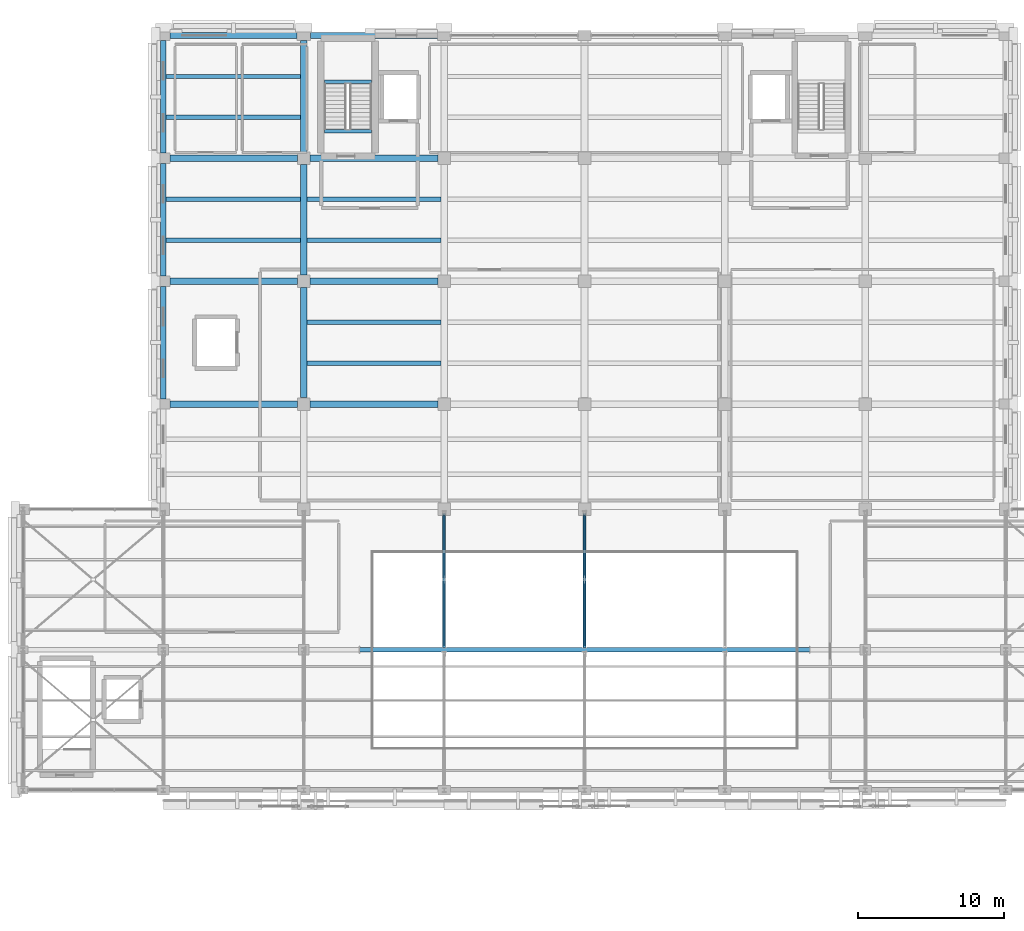
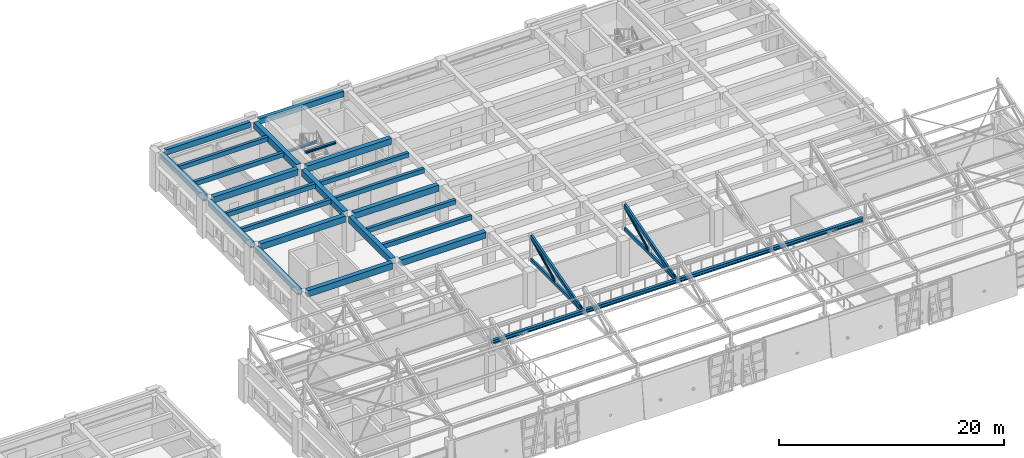
# One storey, part 21 of 58: 25 beams, 8 members.
"""IFC4 building model written with IfcOpenShell, lengths in metres."""

from ifc_helpers import new_model, si_unit, direction, frame, origin, origin_2d, place, context, subcontext, project, spatial, rectangle, hollow_rectangle, hollow_circle, i_section, extrude, material, material_profile, profile_set, type_object, element, save


model = new_model("IFC4")

# Units and contexts
model_context = context("Model", 3, precision=1e-05, world=origin(), true_north=direction((0.0, 1.0)))
body_context = subcontext(model_context, "Body", "Model", "MODEL_VIEW")
ifc_project = project(units=[si_unit("LENGTHUNIT", "METRE"), si_unit("AREAUNIT", "SQUARE_METRE"), si_unit("VOLUMEUNIT", "CUBIC_METRE"), si_unit("PLANEANGLEUNIT", "RADIAN"), si_unit("MASSUNIT", "GRAM", prefix="KILO")], contexts=[model_context])

# Site, building, storey
site_placement = place(None, origin())
site = spatial("IfcSite", under=ifc_project, at=site_placement, CompositionType="ELEMENT")
building_placement = place(site_placement, origin())
building = spatial("IfcBuilding", under=site, at=building_placement, Name="Bempovik Park Faculty of Sciences", CompositionType="ELEMENT")
storey_placement = place(building_placement, frame((0.0, 0.0, 18.300048828125)))
storey = spatial("IfcBuildingStorey", under=building, at=storey_placement, Name="L04", CompositionType="ELEMENT", Elevation=18.300048828125)

# Beams
ifc_material_1 = material(Name="Concrete C35/45", Category="concrete")
ifc_material_profile_1 = material_profile(ifc_material_1, rectangle(XDim=0.3798828125, YDim=0.60009765625, at=origin_2d()), Name="RC 380x600")
ifc_profile_set_1 = profile_set([ifc_material_profile_1], Name="Concrete C35/45")
beam_type_1 = type_object("IfcBeamType", Name="B-032 RC 380x600", PredefinedType="SPANDREL", material=ifc_profile_set_1)
for number, where, z_axis, x_axis, name in (
    (1, (60.4560546875, 119.39990234375, 3.599853515625), (1.0, 0.0, 0.0), (0.0, 1.0, 0.0), "L04 Beam X (60.0-69.6, y=119.4)"),
    (2, (70.055908203125, 119.39990234375, 3.599853515625), (1.0, 0.0, 0.0), (0.0, 1.0, 0.0), "L04 Beam X (69.6-79.2, y=119.4)"),
):
    element("IfcBeam", number, at=place(storey_placement, frame(where, z_axis=z_axis, x_axis=x_axis)), inside=storey, type_object=beam_type_1, Name=name, PredefinedType="SPANDREL", context=body_context, shape_type="SweptSolid", body=[
        extrude(rectangle(XDim=0.3798828125, YDim=0.60009765625, at=origin_2d()), origin(), (0.0, 0.0, 1.0), 8.68798828125),
    ])
for number, where, z_axis, x_axis, name in (
    (3, (60.0, 94.555908203125, 3.599853515625), (0.0, 1.0, 0.0), (-1.0, 0.0, 0.0), "L04 Beam Y (x=60.0, 94.2-102.6)"),
    (4, (60.0, 102.9560546875, 3.599853515625), (0.0, 1.0, 0.0), (-1.0, 0.0, 0.0), "L04 Beam Y (x=60.0, 102.6-111.0)"),
    (5, (60.0, 111.35595703125, 3.599853515625), (0.0, 1.0, 0.0), (-1.0, 0.0, 0.0), "L04 Beam Y (x=60.0, 111.0-119.4)"),
):
    element("IfcBeam", number, at=place(storey_placement, frame(where, z_axis=z_axis, x_axis=x_axis)), inside=storey, type_object=beam_type_1, Name=name, PredefinedType="SPANDREL", context=body_context, shape_type="SweptSolid", body=[
        extrude(rectangle(XDim=0.3798828125, YDim=0.60009765625, at=origin_2d()), origin(), (0.0, 0.0, 1.0), 7.68798828125),
    ])
ifc_material_profile_2 = material_profile(ifc_material_1, rectangle(XDim=0.300048828125, YDim=0.47998046875, at=origin_2d()), Name="RC 300x480")
ifc_profile_set_2 = profile_set([ifc_material_profile_2], Name="Concrete C35/45")
beam_type_2 = type_object("IfcBeamType", Name="B-039 RC 300x480", PredefinedType="JOIST", material=ifc_profile_set_2)
for number, where, z_axis, x_axis, name in (
    (6, (60.196044921875, 105.39990234375, 3.659912109375), (1.0, 0.0, 0.0), (0.0, 1.0, 0.0), "L04 Secondary Joist (60.0-69.6, y=105.40)"),
    (7, (60.196044921875, 108.199951171875, 3.659912109375), (1.0, 0.0, 0.0), (0.0, 1.0, 0.0), "L04 Secondary Joist (60.0-69.6, y=108.20)"),
    (8, (60.196044921875, 113.800048828125, 3.659912109375), (1.0, 0.0, 0.0), (0.0, 1.0, 0.0), "L04 Secondary Joist (60.0-69.6, y=113.80)"),
    (9, (60.196044921875, 116.60009765625, 3.659912109375), (1.0, 0.0, 0.0), (0.0, 1.0, 0.0), "L04 Secondary Joist (60.0-69.6, y=116.60)"),
):
    element("IfcBeam", number, at=place(storey_placement, frame(where, z_axis=z_axis, x_axis=x_axis)), inside=storey, type_object=beam_type_2, Name=name, PredefinedType="JOIST", context=body_context, shape_type="SweptSolid", body=[
        extrude(rectangle(XDim=0.300048828125, YDim=0.47998046875, at=origin_2d()), origin(), (0.0, 0.0, 1.0), 9.1728515625),
    ])
for number, where, z_axis, x_axis, name in (
    (10, (69.8310546875, 97.0, 3.659912109375), (1.0, 0.0, 0.0), (0.0, 1.0, 0.0), "L04 Secondary Joist (69.6-79.2, y=97.00)"),
    (11, (69.8310546875, 99.800048828125, 3.659912109375), (1.0, 0.0, 0.0), (0.0, 1.0, 0.0), "L04 Secondary Joist (69.6-79.2, y=99.80)"),
    (12, (69.8310546875, 105.39990234375, 3.659912109375), (1.0, 0.0, 0.0), (0.0, 1.0, 0.0), "L04 Secondary Joist (69.6-79.2, y=105.40)"),
    (13, (69.8310546875, 108.199951171875, 3.659912109375), (1.0, 0.0, 0.0), (0.0, 1.0, 0.0), "L04 Secondary Joist (69.6-79.2, y=108.20)"),
):
    element("IfcBeam", number, at=place(storey_placement, frame(where, z_axis=z_axis, x_axis=x_axis)), inside=storey, type_object=beam_type_2, Name=name, PredefinedType="JOIST", context=body_context, shape_type="SweptSolid", body=[
        extrude(rectangle(XDim=0.300048828125, YDim=0.47998046875, at=origin_2d()), origin(), (0.0, 0.0, 1.0), 9.137939453125),
    ])
ifc_material_2 = material(Name="Steel S355", Category="steel")
ifc_material_profile_3 = material_profile(ifc_material_2, i_section(OverallWidth=0.300048828125, OverallDepth=0.39990234375, WebThickness=0.013427734375, FlangeThickness=0.02392578125, at=origin_2d()), Name="HEB 400")
ifc_profile_set_3 = profile_set([ifc_material_profile_3], Name="Steel S355")
beam_type_3 = type_object("IfcBeamType", Name="B-044 HEB 400", PredefinedType="BEAM", material=ifc_profile_set_3)
beam_1_placement = place(storey_placement, frame((69.72998046875, 77.39990234375, 5.182373046875), z_axis=(1.0, 0.0, 0.0), x_axis=(0.0, 1.0, 0.0)))
element("IfcBeam", 14, at=beam_1_placement, inside=storey, type_object=beam_type_3, Name="Atrium Sawtooth Clear-Span Upper Valley Girder (69.6-108.0)", PredefinedType="BEAM", context=body_context, shape_type="SweptSolid", body=[
    extrude(i_section(OverallWidth=0.300048828125, OverallDepth=0.39990234375, WebThickness=0.013427734375, FlangeThickness=0.02392578125, at=origin_2d()), origin(), (0.0, 0.0, 1.0), 38.14013671875),
])
ifc_material_profile_4 = material_profile(ifc_material_2, i_section(OverallWidth=0.239990234375, OverallDepth=0.22998046875, WebThickness=0.007568359375, FlangeThickness=0.011962890625, at=origin_2d()), Name="HEA 240")
ifc_profile_set_4 = profile_set([ifc_material_profile_4], Name="Steel S355")
beam_type_4 = type_object("IfcBeamType", Name="B-070 HEA 240", PredefinedType="BEAM", material=ifc_profile_set_4)
for number, where, z_axis, x_axis, name in (
    (15, (71.006103515625, 116.24365234375, 1.784912109375), (1.0, 0.0, 0.0), (0.0, 1.0, 0.0), "L04 ST-1 Half-Landing Trimmer Beam"),
    (16, (71.006103515625, 112.85009765625, 3.784912109375), (1.0, 0.0, 0.0), (0.0, 1.0, 0.0), "L05 ST-1 Floor Landing Trimmer Beam"),
):
    element("IfcBeam", number, at=place(storey_placement, frame(where, z_axis=z_axis, x_axis=x_axis)), inside=storey, type_object=beam_type_4, Name=name, PredefinedType="BEAM", context=body_context, shape_type="SweptSolid", body=[
        extrude(i_section(OverallWidth=0.239990234375, OverallDepth=0.22998046875, WebThickness=0.007568359375, FlangeThickness=0.011962890625, at=origin_2d()), origin(), (0.0, 0.0, 1.0), 3.23779296875),
    ])
ifc_material_profile_5 = material_profile(ifc_material_1, rectangle(XDim=0.449951171875, YDim=0.679931640625, at=origin_2d()), Name="RC 450x680")
ifc_profile_set_5 = profile_set([ifc_material_profile_5], Name="Concrete C35/45")
beam_type_5 = type_object("IfcBeamType", Name="B-113 RC 450x680", PredefinedType="BEAM", material=ifc_profile_set_5)
beam_2_placement = place(storey_placement, frame((60.4560546875, 94.199951171875, 3.56005859375), z_axis=(1.0, 0.0, 0.0), x_axis=(0.0, 1.0, 0.0)))
element("IfcBeam", 17, at=beam_2_placement, inside=storey, type_object=beam_type_5, Name="L04 Beam X (60.0-69.6, y=94.2)", PredefinedType="BEAM", context=body_context, shape_type="SweptSolid", body=[
    extrude(rectangle(XDim=0.449951171875, YDim=0.679931640625, at=origin_2d()), origin(), (0.0, 0.0, 1.0), 8.712890625),
])
beam_3_placement = place(storey_placement, frame((70.031005859375, 94.199951171875, 3.56005859375), z_axis=(1.0, 0.0, 0.0), x_axis=(0.0, 1.0, 0.0)))
element("IfcBeam", 18, at=beam_3_placement, inside=storey, type_object=beam_type_5, Name="L04 Beam X (69.6-79.2, y=94.2)", PredefinedType="BEAM", context=body_context, shape_type="SweptSolid", body=[
    extrude(rectangle(XDim=0.449951171875, YDim=0.679931640625, at=origin_2d()), origin(), (0.0, 0.0, 1.0), 8.738037109375),
])
beam_4_placement = place(storey_placement, frame((60.4560546875, 102.60009765625, 3.56005859375), z_axis=(1.0, 0.0, 0.0), x_axis=(0.0, 1.0, 0.0)))
element("IfcBeam", 19, at=beam_4_placement, inside=storey, type_object=beam_type_5, Name="L04 Beam X (60.0-69.6, y=102.6)", PredefinedType="BEAM", context=body_context, shape_type="SweptSolid", body=[
    extrude(rectangle(XDim=0.449951171875, YDim=0.679931640625, at=origin_2d()), origin(), (0.0, 0.0, 1.0), 8.712890625),
])
beam_5_placement = place(storey_placement, frame((70.031005859375, 102.60009765625, 3.56005859375), z_axis=(1.0, 0.0, 0.0), x_axis=(0.0, 1.0, 0.0)))
element("IfcBeam", 20, at=beam_5_placement, inside=storey, type_object=beam_type_5, Name="L04 Beam X (69.6-79.2, y=102.6)", PredefinedType="BEAM", context=body_context, shape_type="SweptSolid", body=[
    extrude(rectangle(XDim=0.449951171875, YDim=0.679931640625, at=origin_2d()), origin(), (0.0, 0.0, 1.0), 8.738037109375),
])
beam_6_placement = place(storey_placement, frame((60.4560546875, 111.0, 3.56005859375), z_axis=(1.0, 0.0, 0.0), x_axis=(0.0, 1.0, 0.0)))
element("IfcBeam", 21, at=beam_6_placement, inside=storey, type_object=beam_type_5, Name="L04 Beam X (60.0-69.6, y=111.0)", PredefinedType="BEAM", context=body_context, shape_type="SweptSolid", body=[
    extrude(rectangle(XDim=0.449951171875, YDim=0.679931640625, at=origin_2d()), origin(), (0.0, 0.0, 1.0), 8.712890625),
])
beam_7_placement = place(storey_placement, frame((70.031005859375, 111.0, 3.56005859375), z_axis=(1.0, 0.0, 0.0), x_axis=(0.0, 1.0, 0.0)))
element("IfcBeam", 22, at=beam_7_placement, inside=storey, type_object=beam_type_5, Name="L04 Beam X (69.6-79.2, y=111.0)", PredefinedType="BEAM", context=body_context, shape_type="SweptSolid", body=[
    extrude(rectangle(XDim=0.449951171875, YDim=0.679931640625, at=origin_2d()), origin(), (0.0, 0.0, 1.0), 8.738037109375),
])
beam_8_placement = place(storey_placement, frame((69.60009765625, 94.631103515625, 3.56005859375), z_axis=(0.0, 1.0, 0.0), x_axis=(-1.0, 0.0, 0.0)))
element("IfcBeam", 23, at=beam_8_placement, inside=storey, type_object=beam_type_5, Name="L04 Beam Y (x=69.6, 94.2-102.6)", PredefinedType="BEAM", context=body_context, shape_type="SweptSolid", body=[
    extrude(rectangle(XDim=0.449951171875, YDim=0.679931640625, at=origin_2d()), origin(), (0.0, 0.0, 1.0), 7.537841796875),
])
beam_9_placement = place(storey_placement, frame((69.60009765625, 103.031005859375, 3.56005859375), z_axis=(0.0, 1.0, 0.0), x_axis=(-1.0, 0.0, 0.0)))
element("IfcBeam", 24, at=beam_9_placement, inside=storey, type_object=beam_type_5, Name="L04 Beam Y (x=69.6, 102.6-111.0)", PredefinedType="BEAM", context=body_context, shape_type="SweptSolid", body=[
    extrude(rectangle(XDim=0.449951171875, YDim=0.679931640625, at=origin_2d()), origin(), (0.0, 0.0, 1.0), 7.5380859375),
])
beam_10_placement = place(storey_placement, frame((69.60009765625, 111.430908203125, 3.56005859375), z_axis=(0.0, 1.0, 0.0), x_axis=(-1.0, 0.0, 0.0)))
element("IfcBeam", 25, at=beam_10_placement, inside=storey, type_object=beam_type_5, Name="L04 Beam Y (x=69.6, 111.0-119.4)", PredefinedType="BEAM", context=body_context, shape_type="SweptSolid", body=[
    extrude(rectangle(XDim=0.449951171875, YDim=0.679931640625, at=origin_2d()), origin(), (0.0, 0.0, 1.0), 7.613037109375),
])

# Members
ifc_material_profile_6 = material_profile(ifc_material_2, hollow_rectangle(XDim=0.175048828125, YDim=0.35009765625, WallThickness=0.012451171875, at=origin_2d()), Name="RHS 350x175x12.5")
ifc_profile_set_6 = profile_set([ifc_material_profile_6], Name="Steel S355")
member_type_1 = type_object("IfcMemberType", Name="M-15 RHS 350x175x12.5", PredefinedType="CHORD", material=ifc_profile_set_6)
for number, where, z_axis, x_axis, name in (
    (26, (79.199951171875, 77.555908203125, 5.179931640625), (0.0, 1.0, 0.0), (-1.0, 0.0, 0.0), "Sawtooth Bottom Chord V2-B2 (79.2)"),
    (27, (88.800048828125, 77.555908203125, 5.179931640625), (0.0, 1.0, 0.0), (-1.0, 0.0, 0.0), "Sawtooth Bottom Chord V2-B2 (88.8)"),
):
    element("IfcMember", number, at=place(storey_placement, frame(where, z_axis=z_axis, x_axis=x_axis)), inside=storey, type_object=member_type_1, Name=name, PredefinedType="CHORD", context=body_context, shape_type="SweptSolid", body=[
        extrude(hollow_rectangle(XDim=0.175048828125, YDim=0.35009765625, WallThickness=0.012451171875, at=origin_2d()), origin(), (0.0, 0.0, 1.0), 9.088134765625),
    ])
ifc_material_profile_7 = material_profile(ifc_material_2, hollow_circle(Radius=0.109619140625, WallThickness=0.010009765625, at=origin_2d()), Name="CHS 219.1x10")
ifc_profile_set_7 = profile_set([ifc_material_profile_7], Name="Steel S355")
member_type_2 = type_object("IfcMemberType", Name="M-22 CHS 219.1x10", PredefinedType="BRACE", material=ifc_profile_set_7)
for number, where, z_axis, x_axis, name in (
    (28, (79.199951171875, 82.304931640625, 5.36083984375), (0.0, 0.896782958268, 0.442470706105), (-1.0, 0.0, 0.0), "Sawtooth Web Diagonal 2 V2-B2 (79.2)"),
    (29, (88.800048828125, 82.304931640625, 5.36083984375), (0.0, 0.896782958268, 0.442470706105), (-1.0, 0.0, 0.0), "Sawtooth Web Diagonal 2 V2-B2 (88.8)"),
):
    element("IfcMember", number, at=place(storey_placement, frame(where, z_axis=z_axis, x_axis=x_axis)), inside=storey, type_object=member_type_2, Name=name, PredefinedType="BRACE", context=body_context, shape_type="SweptSolid", body=[
        extrude(hollow_circle(Radius=0.109619140625, WallThickness=0.010009765625, at=origin_2d()), origin(), (0.0, 0.0, 1.0), 4.844970703125),
    ])
ifc_material_profile_8 = material_profile(ifc_material_2, hollow_rectangle(XDim=0.199951171875, YDim=0.39990234375, WallThickness=0.01611328125, at=origin_2d()), Name="RHS 400x200x16")
ifc_profile_set_8 = profile_set([ifc_material_profile_8], Name="Steel S355")
member_type_3 = type_object("IfcMemberType", Name="M-53 RHS 400x200x16", PredefinedType="CHORD", material=ifc_profile_set_8)
for number, where, z_axis, x_axis, name in (
    (30, (79.199951171875, 77.555908203125, 5.182373046875), (0.0, 0.962201828539, 0.272337366434), (-1.0, 0.0, 0.0), "Sawtooth Top Rafter Chord V2-B2 (79.2)"),
    (31, (88.800048828125, 77.555908203125, 5.182373046875), (0.0, 0.962201828539, 0.272337366434), (-1.0, 0.0, 0.0), "Sawtooth Top Rafter Chord V2-B2 (88.8)"),
):
    element("IfcMember", number, at=place(storey_placement, frame(where, z_axis=z_axis, x_axis=x_axis)), inside=storey, type_object=member_type_3, Name=name, PredefinedType="CHORD", context=body_context, shape_type="SweptSolid", body=[
        extrude(hollow_rectangle(XDim=0.199951171875, YDim=0.39990234375, WallThickness=0.01611328125, at=origin_2d()), origin(), (0.0, 0.0, 1.0), 9.445068359375),
    ])
ifc_material_profile_9 = material_profile(ifc_material_2, hollow_circle(Radius=0.096923828125, WallThickness=0.008056640625, at=origin_2d()), Name="CHS 193.7x8")
ifc_profile_set_9 = profile_set([ifc_material_profile_9], Name="Steel S355")
member_type_4 = type_object("IfcMemberType", Name="M-74 CHS 193.7x8", PredefinedType="BRACE", material=ifc_profile_set_9)
for number, where, z_axis, x_axis, name in (
    (32, (79.199951171875, 77.7099609375, 5.36083984375), (0.0, 0.980118341504, 0.198413801554), (-1.0, 0.0, 0.0), "Sawtooth Web Diagonal 1 V2-B2 (79.2)"),
    (33, (88.800048828125, 77.7099609375, 5.36083984375), (0.0, 0.980118341504, 0.198413801554), (-1.0, 0.0, 0.0), "Sawtooth Web Diagonal 1 V2-B2 (88.8)"),
):
    element("IfcMember", number, at=place(storey_placement, frame(where, z_axis=z_axis, x_axis=x_axis)), inside=storey, type_object=member_type_4, Name=name, PredefinedType="BRACE", context=body_context, shape_type="SweptSolid", body=[
        extrude(hollow_circle(Radius=0.096923828125, WallThickness=0.008056640625, at=origin_2d()), origin(), (0.0, 0.0, 1.0), 4.473876953125),
    ])

save(model, "model.ifc")
